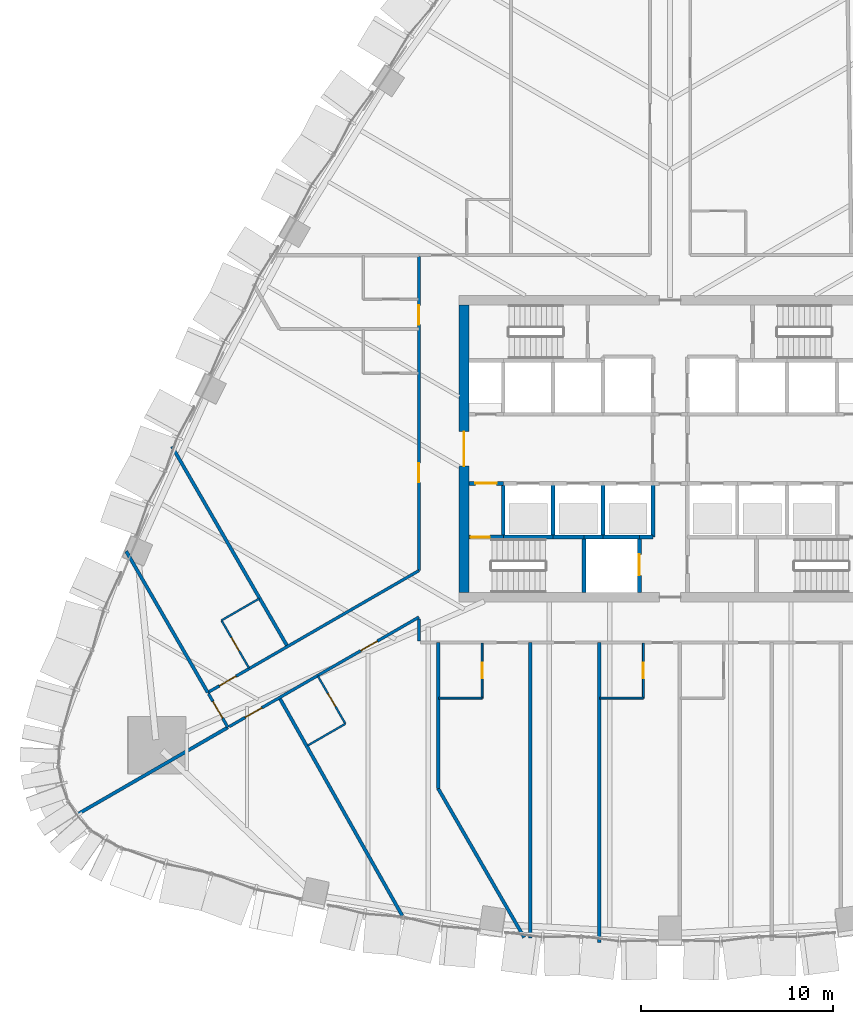
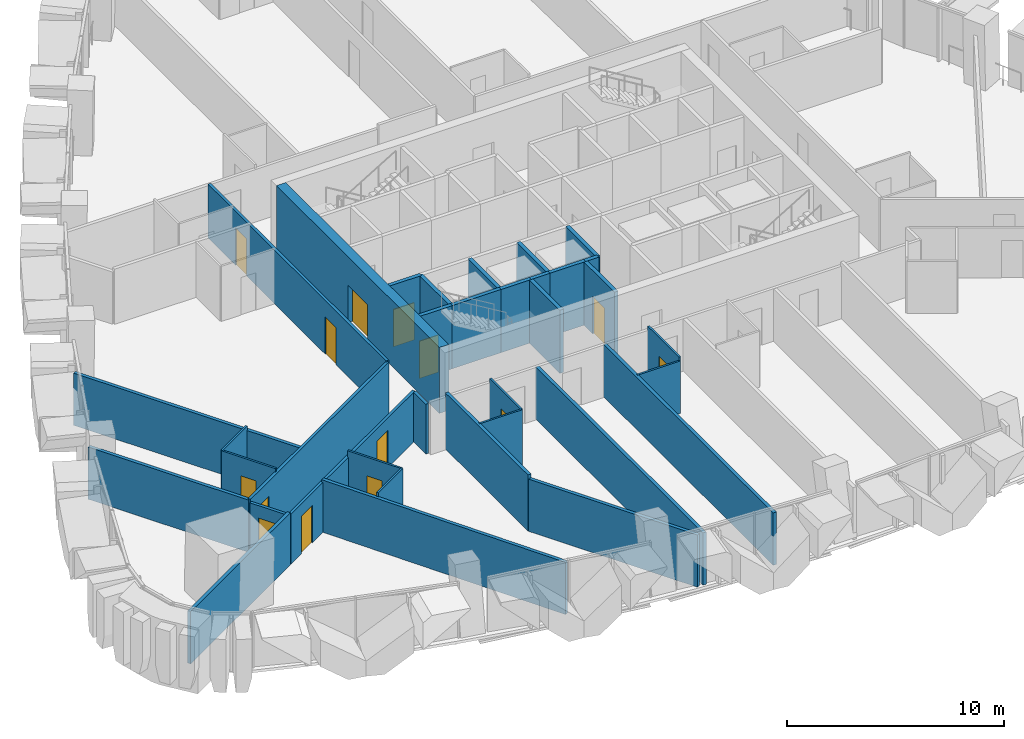
# One storey, part 13 of 22: 35 walls, 14 doors, 14 openings.
"""IFC4 building model written with IfcOpenShell, lengths in metres."""

from ifc_helpers import new_model, si_unit, direction, frame, frame_2d, origin, place, context, subcontext, project, spatial, rectangle, extrude, material, layer, layer_set, type_object, element, fill, save


model = new_model("IFC4")

# Units and contexts
model_context = context("Model", 3, precision=1e-05, world=origin(), true_north=direction((0.0, 1.0)))
body_context = subcontext(model_context, "Body", "Model", "MODEL_VIEW")
ifc_project = project(units=[si_unit("LENGTHUNIT", "METRE"), si_unit("AREAUNIT", "SQUARE_METRE"), si_unit("VOLUMEUNIT", "CUBIC_METRE"), si_unit("PLANEANGLEUNIT", "RADIAN"), si_unit("MASSUNIT", "GRAM", prefix="KILO")], contexts=[model_context])

# Site, building, storey
site_placement = place(None, origin())
site = spatial("IfcSite", under=ifc_project, at=site_placement, CompositionType="ELEMENT")
building_placement = place(site_placement, origin())
building = spatial("IfcBuilding", under=site, at=building_placement, Name="Sierra Prisma Convention Tower", CompositionType="ELEMENT")
storey_placement = place(building_placement, frame((0.0, 0.0, 62.800048828125)))
storey = spatial("IfcBuildingStorey", under=building, at=storey_placement, Name="L11", CompositionType="ELEMENT", Elevation=62.800048828125)

# Wall, opening, door
ifc_material_1 = material(Name="Gypsum board partition", Category="gypsum")
ifc_layer_1 = layer(ifc_material_1, 0.10009765625)
ifc_layer_set_1 = layer_set([ifc_layer_1], Name="Bathroom partition 100")
wall_type_1 = type_object("IfcWallType", Name="Bathroom partition 100", PredefinedType="PARTITIONING", material=ifc_layer_set_1)
wall_1_placement = place(storey_placement, frame((-21.959716796875, -11.431396484375, 0.0), z_axis=(0.0, 0.0, 1.0), x_axis=(-0.499936001555, 0.866062350151, 0.0)))
wall_1 = element("IfcWall", 1, at=wall_1_placement, inside=storey, type_object=wall_type_1, Name="Partition L11 bath 1", PredefinedType="PARTITIONING", context=body_context, shape_type="SweptSolid", body=[
    extrude(rectangle(XDim=2.8701171875, YDim=0.10009765625, at=frame_2d((1.43505859375, 0.0))), origin(), (0.0, 0.0, 1.0), 3.14990234375),
])
opening_1_placement = place(wall_1_placement, frame((1.034912109375, 0.0, 0.0)))
opening_1 = element("IfcOpeningElement", 2, at=opening_1_placement, cuts=wall_1, Name="Opening L11-D007", PredefinedType="OPENING", context=body_context, shape_type="SweptSolid", body=[
    extrude(rectangle(XDim=0.800048828125, YDim=2.10009765625, at=frame_2d((0.39990234375, 1.050048828125))), frame((0.0, 0.050048828125, 0.0), z_axis=(0.0, -1.0, 0.0), x_axis=(1.0, 0.0, 0.0)), (0.0, 0.0, 1.0), 0.10009765625),
])
ifc_material_2 = material(Name="Solid core timber door leaf", Category="wood")
door_type_1 = type_object("IfcDoorType", Name="Door 800x2100 plain", OperationType="SINGLE_SWING_LEFT", PredefinedType="DOOR", material=ifc_material_2)
door_1_placement = place(opening_1_placement, origin())
door_1 = element("IfcDoor", 3, at=door_1_placement, inside=storey, type_object=door_type_1, Name="Door L11 16", OperationType="SINGLE_SWING_LEFT", OverallHeight=2.10009765625, OverallWidth=0.800048828125, PredefinedType="DOOR", context=body_context, shape_type="SweptSolid", body=[
    extrude(rectangle(XDim=0.800048828125, YDim=2.10009765625, at=frame_2d((0.39990234375, 1.050048828125))), frame((0.0, 0.02490234375, 0.0), z_axis=(0.0, -1.0, 0.0), x_axis=(1.0, 0.0, 0.0)), (0.0, 0.0, 1.0), 0.050048828125),
])
fill(opening_1, door_1)

# Wall
wall_2_placement = place(storey_placement, frame((-23.39453125, -8.94580078125, 0.0), z_axis=(0.0, 0.0, 1.0), x_axis=(0.866017224141, 0.500014167291, 0.0)))
element("IfcWall", 4, at=wall_2_placement, inside=storey, type_object=wall_type_1, Name="Partition L11 bath 2", PredefinedType="PARTITIONING", context=body_context, shape_type="SweptSolid", body=[
    extrude(rectangle(XDim=2.27001953125, YDim=0.10009765625, at=frame_2d((1.135009765625, 0.0))), origin(), (0.0, 0.0, 1.0), 3.14990234375),
])

# Wall, opening, door
wall_3_placement = place(storey_placement, frame((-18.367919921875, -11.851806640625, 0.0), z_axis=(0.0, 0.0, 1.0), x_axis=(0.500036638401, -0.866004249561, 0.0)))
wall_3 = element("IfcWall", 5, at=wall_3_placement, inside=storey, type_object=wall_type_1, Name="Partition L11 bath 3", PredefinedType="PARTITIONING", context=body_context, shape_type="SweptSolid", body=[
    extrude(rectangle(XDim=2.869873046875, YDim=0.10009765625, at=frame_2d((1.43505859375, 0.0))), origin(), (0.0, 0.0, 1.0), 3.14990234375),
])
opening_2_placement = place(wall_3_placement, frame((1.034912109375, 0.0, 0.0)))
opening_2 = element("IfcOpeningElement", 6, at=opening_2_placement, cuts=wall_3, Name="Opening L11-D008", PredefinedType="OPENING", context=body_context, shape_type="SweptSolid", body=[
    extrude(rectangle(XDim=0.800048828125, YDim=2.10009765625, at=frame_2d((0.39990234375, 1.050048828125))), frame((0.0, 0.050048828125, 0.0), z_axis=(0.0, -1.0, 0.0), x_axis=(1.0, 0.0, 0.0)), (0.0, 0.0, 1.0), 0.10009765625),
])
door_2_placement = place(opening_2_placement, origin())
door_2 = element("IfcDoor", 7, at=door_2_placement, inside=storey, type_object=door_type_1, Name="Door L11 20", OperationType="SINGLE_SWING_RIGHT", OverallHeight=2.10009765625, OverallWidth=0.800048828125, PredefinedType="DOOR", context=body_context, shape_type="SweptSolid", body=[
    extrude(rectangle(XDim=0.800048828125, YDim=2.10009765625, at=frame_2d((0.39990234375, 1.050048828125))), frame((0.0, 0.02490234375, 0.0), z_axis=(0.0, -1.0, 0.0), x_axis=(1.0, 0.0, 0.0)), (0.0, 0.0, 1.0), 0.050048828125),
])
fill(opening_2, door_2)

# Wall
wall_4_placement = place(storey_placement, frame((-16.932861328125, -14.337158203125, 0.0), z_axis=(0.0, 0.0, 1.0), x_axis=(-0.866017224141, -0.500014167291, 0.0)))
element("IfcWall", 8, at=wall_4_placement, inside=storey, type_object=wall_type_1, Name="Partition L11 bath 4", PredefinedType="PARTITIONING", context=body_context, shape_type="SweptSolid", body=[
    extrude(rectangle(XDim=2.27001953125, YDim=0.10009765625, at=frame_2d((1.135009765625, 0.0))), origin(), (0.0, 0.0, 1.0), 3.14990234375),
])

# Wall, opening, door
wall_5_placement = place(storey_placement, frame((-9.800048828125, -10.1298828125, 0.0), z_axis=(0.0, 0.0, 1.0), x_axis=(0.0, -1.0, 0.0)))
wall_5 = element("IfcWall", 9, at=wall_5_placement, inside=storey, type_object=wall_type_1, Name="Partition L11 bath 9", PredefinedType="PARTITIONING", context=body_context, shape_type="SweptSolid", body=[
    extrude(rectangle(XDim=2.8701171875, YDim=0.10009765625, at=frame_2d((1.43505859375, 0.0))), origin(), (0.0, 0.0, 1.0), 3.14990234375),
])
opening_3_placement = place(wall_5_placement, frame((1.034912109375, 0.0, 0.0)))
opening_3 = element("IfcOpeningElement", 10, at=opening_3_placement, cuts=wall_5, Name="Opening L11-D009", PredefinedType="OPENING", context=body_context, shape_type="SweptSolid", body=[
    extrude(rectangle(XDim=0.800048828125, YDim=2.10009765625, at=frame_2d((0.39990234375, 1.050048828125))), frame((0.0, 0.050048828125, 0.0), z_axis=(0.0, -1.0, 0.0), x_axis=(1.0, 0.0, 0.0)), (0.0, 0.0, 1.0), 0.10009765625),
])
door_3_placement = place(opening_3_placement, origin())
door_3 = element("IfcDoor", 11, at=door_3_placement, inside=storey, type_object=door_type_1, Name="Door L11 22", OperationType="SINGLE_SWING_RIGHT", OverallHeight=2.10009765625, OverallWidth=0.800048828125, PredefinedType="DOOR", context=body_context, shape_type="SweptSolid", body=[
    extrude(rectangle(XDim=0.800048828125, YDim=2.10009765625, at=frame_2d((0.39990234375, 1.050048828125))), frame((0.0, 0.02490234375, 0.0), z_axis=(0.0, -1.0, 0.0), x_axis=(1.0, 0.0, 0.0)), (0.0, 0.0, 1.0), 0.050048828125),
])
fill(opening_3, door_3)

# Wall
wall_6_placement = place(storey_placement, frame((-9.800048828125, -13.0, 0.0), z_axis=(0.0, 0.0, 1.0), x_axis=(-1.0, 0.0, 0.0)))
element("IfcWall", 12, at=wall_6_placement, inside=storey, type_object=wall_type_1, Name="Partition L11 bath 10", PredefinedType="PARTITIONING", context=body_context, shape_type="SweptSolid", body=[
    extrude(rectangle(XDim=2.27001953125, YDim=0.10009765625, at=frame_2d((1.135009765625, 0.0))), origin(), (0.0, 0.0, 1.0), 3.14990234375),
])

# Wall, opening, door
wall_7_placement = place(storey_placement, frame((-1.39990234375, -10.1298828125, 0.0), z_axis=(0.0, 0.0, 1.0), x_axis=(0.0, -1.0, 0.0)))
wall_7 = element("IfcWall", 13, at=wall_7_placement, inside=storey, type_object=wall_type_1, Name="Partition L11 bath 13", PredefinedType="PARTITIONING", context=body_context, shape_type="SweptSolid", body=[
    extrude(rectangle(XDim=2.8701171875, YDim=0.10009765625, at=frame_2d((1.43505859375, 0.0))), origin(), (0.0, 0.0, 1.0), 3.14990234375),
])
opening_4_placement = place(wall_7_placement, frame((1.034912109375, 0.0, 0.0)))
opening_4 = element("IfcOpeningElement", 14, at=opening_4_placement, cuts=wall_7, Name="Opening L11-D010", PredefinedType="OPENING", context=body_context, shape_type="SweptSolid", body=[
    extrude(rectangle(XDim=0.800048828125, YDim=2.10009765625, at=frame_2d((0.39990234375, 1.050048828125))), frame((0.0, 0.050048828125, 0.0), z_axis=(0.0, -1.0, 0.0), x_axis=(1.0, 0.0, 0.0)), (0.0, 0.0, 1.0), 0.10009765625),
])
door_4_placement = place(opening_4_placement, origin())
door_4 = element("IfcDoor", 15, at=door_4_placement, inside=storey, type_object=door_type_1, Name="Door L11 25", OperationType="SINGLE_SWING_RIGHT", OverallHeight=2.10009765625, OverallWidth=0.800048828125, PredefinedType="DOOR", context=body_context, shape_type="SweptSolid", body=[
    extrude(rectangle(XDim=0.800048828125, YDim=2.10009765625, at=frame_2d((0.39990234375, 1.050048828125))), frame((0.0, 0.02490234375, 0.0), z_axis=(0.0, -1.0, 0.0), x_axis=(1.0, 0.0, 0.0)), (0.0, 0.0, 1.0), 0.050048828125),
])
fill(opening_4, door_4)

# Wall
wall_8_placement = place(storey_placement, frame((-1.39990234375, -13.0, 0.0), z_axis=(0.0, 0.0, 1.0), x_axis=(-1.0, 0.0, 0.0)))
element("IfcWall", 16, at=wall_8_placement, inside=storey, type_object=wall_type_1, Name="Partition L11 bath 14", PredefinedType="PARTITIONING", context=body_context, shape_type="SweptSolid", body=[
    extrude(rectangle(XDim=2.27001953125, YDim=0.10009765625, at=frame_2d((1.135009765625, 0.0))), origin(), (0.0, 0.0, 1.0), 2.947021484375),
])

# Wall, opening, door
ifc_material_3 = material(Name="Concrete C30/37", Category="concrete")
ifc_layer_2 = layer(ifc_material_3, 0.199951171875)
ifc_layer_set_2 = layer_set([ifc_layer_2], Name="Core wall RC 200 C30/37")
wall_type_2 = type_object("IfcWallType", Name="Core wall RC 200 C30/37", PredefinedType="SOLIDWALL", material=ifc_layer_set_2)
wall_9_placement = place(storey_placement, frame((-10.5, -4.60009765625, 0.0), z_axis=(0.0, 0.0, 1.0), x_axis=(1.0, 0.0, 0.0)))
wall_9 = element("IfcWall", 17, at=wall_9_placement, inside=storey, type_object=wall_type_2, Name="Core wall L11 1", PredefinedType="SOLIDWALL", context=body_context, shape_type="SweptSolid", body=[
    extrude(rectangle(XDim=1.800048828125, YDim=0.199951171875, at=frame_2d((0.89990234375, 0.0))), origin(), (0.0, 0.0, 1.0), 3.550048828125),
])
opening_5_placement = place(wall_9_placement, frame((0.10009765625, 0.0, 0.0)))
opening_5 = element("IfcOpeningElement", 18, at=opening_5_placement, cuts=wall_9, Name="Opening L11-D034", PredefinedType="OPENING", context=body_context, shape_type="SweptSolid", body=[
    extrude(rectangle(XDim=1.0, YDim=2.10009765625, at=frame_2d((0.5, 1.050048828125))), frame((0.0, 0.10009765625, 0.0), z_axis=(0.0, -1.0, 0.0), x_axis=(1.0, 0.0, 0.0)), (0.0, 0.0, 1.0), 0.199951171875),
])
ifc_material_4 = material(Name="Steel fire door leaf", Category="steel")
door_type_2 = type_object("IfcDoorType", Name="Door 1000x2100 FD90S", OperationType="SINGLE_SWING_LEFT", PredefinedType="DOOR", material=ifc_material_4)
door_5_placement = place(opening_5_placement, origin())
door_5 = element("IfcDoor", 19, at=door_5_placement, inside=storey, type_object=door_type_2, Name="Door L11 56", OperationType="SINGLE_SWING_LEFT", OverallHeight=2.10009765625, OverallWidth=1.0, PredefinedType="DOOR", context=body_context, shape_type="SweptSolid", body=[
    extrude(rectangle(XDim=1.0, YDim=2.10009765625, at=frame_2d((0.5, 1.050048828125))), frame((0.0, 0.02490234375, 0.0), z_axis=(0.0, -1.0, 0.0), x_axis=(1.0, 0.0, 0.0)), (0.0, 0.0, 1.0), 0.050048828125),
])
fill(opening_5, door_5)

wall_10_placement = place(storey_placement, frame((-10.5, -1.800048828125, 0.0), z_axis=(0.0, 0.0, 1.0), x_axis=(1.0, 0.0, 0.0)))
wall_10 = element("IfcWall", 20, at=wall_10_placement, inside=storey, type_object=wall_type_2, Name="Core wall L11 2", PredefinedType="SOLIDWALL", context=body_context, shape_type="SweptSolid", body=[
    extrude(rectangle(XDim=1.800048828125, YDim=0.199951171875, at=frame_2d((0.89990234375, 0.0))), origin(), (0.0, 0.0, 1.0), 3.550048828125),
])
opening_6_placement = place(wall_10_placement, frame((0.35009765625, 0.0, 0.0)))
opening_6 = element("IfcOpeningElement", 21, at=opening_6_placement, cuts=wall_10, Name="Opening L11-D028", PredefinedType="OPENING", context=body_context, shape_type="SweptSolid", body=[
    extrude(rectangle(XDim=1.10009765625, YDim=2.10009765625, at=frame_2d((0.550048828125, 1.050048828125))), frame((0.0, 0.10009765625, 0.0), z_axis=(0.0, -1.0, 0.0), x_axis=(1.0, 0.0, 0.0)), (0.0, 0.0, 1.0), 0.199951171875),
])
ifc_material_5 = material(Name="Steel fire door leaf", Category="steel")
door_type_3 = type_object("IfcDoorType", Name="Door 1100x2100 FD90S", OperationType="SINGLE_SWING_LEFT", PredefinedType="DOOR", material=ifc_material_5)
door_6_placement = place(opening_6_placement, origin())
door_6 = element("IfcDoor", 22, at=door_6_placement, inside=storey, type_object=door_type_3, Name="Door L11 50", OperationType="SINGLE_SWING_LEFT", OverallHeight=2.10009765625, OverallWidth=1.10009765625, PredefinedType="DOOR", context=body_context, shape_type="SweptSolid", body=[
    extrude(rectangle(XDim=1.10009765625, YDim=2.10009765625, at=frame_2d((0.550048828125, 1.050048828125))), frame((0.0, 0.02490234375, 0.0), z_axis=(0.0, -1.0, 0.0), x_axis=(1.0, 0.0, 0.0)), (0.0, 0.0, 1.0), 0.050048828125),
])
fill(opening_6, door_6)

# Walls
wall_11_placement = place(storey_placement, frame((-8.699951171875, -4.60009765625, 0.0), z_axis=(0.0, 0.0, 1.0), x_axis=(1.0, 0.0, 0.0)))
element("IfcWall", 23, at=wall_11_placement, inside=storey, type_object=wall_type_2, Name="Core wall L11 5", PredefinedType="SOLIDWALL", context=body_context, shape_type="SweptSolid", body=[
    extrude(rectangle(XDim=2.599853515625, YDim=0.199951171875, at=frame_2d((1.2998046875, 0.0))), origin(), (0.0, 0.0, 1.0), 3.550048828125),
])
wall_12_placement = place(storey_placement, frame((-8.699951171875, -4.60009765625, 0.0), z_axis=(0.0, 0.0, 1.0), x_axis=(0.0, 1.0, 0.0)))
element("IfcWall", 24, at=wall_12_placement, inside=storey, type_object=wall_type_2, Name="Core wall L11 6", PredefinedType="SOLIDWALL", context=body_context, shape_type="SweptSolid", body=[
    extrude(rectangle(XDim=2.800048828125, YDim=0.199951171875, at=frame_2d((1.39990234375, 0.0))), origin(), (0.0, 0.0, 1.0), 3.550048828125),
])
wall_13_placement = place(storey_placement, frame((-6.10009765625, -4.60009765625, 0.0), z_axis=(0.0, 0.0, 1.0), x_axis=(1.0, 0.0, 0.0)))
element("IfcWall", 25, at=wall_13_placement, inside=storey, type_object=wall_type_2, Name="Core wall L11 11", PredefinedType="SOLIDWALL", context=body_context, shape_type="SweptSolid", body=[
    extrude(rectangle(XDim=1.60009765625, YDim=0.199951171875, at=frame_2d((0.800048828125, 0.0))), origin(), (0.0, 0.0, 1.0), 3.550048828125),
])
wall_14_placement = place(storey_placement, frame((-6.10009765625, -4.60009765625, 0.0), z_axis=(0.0, 0.0, 1.0), x_axis=(0.0, 1.0, 0.0)))
element("IfcWall", 26, at=wall_14_placement, inside=storey, type_object=wall_type_2, Name="Core wall L11 12", PredefinedType="SOLIDWALL", context=body_context, shape_type="SweptSolid", body=[
    extrude(rectangle(XDim=2.800048828125, YDim=0.199951171875, at=frame_2d((1.39990234375, 0.0))), origin(), (0.0, 0.0, 1.0), 3.550048828125),
])
wall_15_placement = place(storey_placement, frame((-4.5, -4.60009765625, 0.0), z_axis=(0.0, 0.0, 1.0), x_axis=(0.0, -1.0, 0.0)))
element("IfcWall", 27, at=wall_15_placement, inside=storey, type_object=wall_type_2, Name="Core wall L11 17", PredefinedType="SOLIDWALL", context=body_context, shape_type="SweptSolid", body=[
    extrude(rectangle(XDim=2.89990234375, YDim=0.199951171875, at=frame_2d((1.449951171875, 0.0))), origin(), (0.0, 0.0, 1.0), 3.550048828125),
])
wall_16_placement = place(storey_placement, frame((-4.5, -4.60009765625, 0.0), z_axis=(0.0, 0.0, 1.0), x_axis=(1.0, 0.0, 0.0)))
element("IfcWall", 28, at=wall_16_placement, inside=storey, type_object=wall_type_2, Name="Core wall L11 18", PredefinedType="SOLIDWALL", context=body_context, shape_type="SweptSolid", body=[
    extrude(rectangle(XDim=1.0, YDim=0.199951171875, at=frame_2d((0.5, 0.0))), origin(), (0.0, 0.0, 1.0), 3.550048828125),
])
wall_17_placement = place(storey_placement, frame((-3.5, -4.60009765625, 0.0), z_axis=(0.0, 0.0, 1.0), x_axis=(1.0, 0.0, 0.0)))
element("IfcWall", 29, at=wall_17_placement, inside=storey, type_object=wall_type_2, Name="Core wall L11 21", PredefinedType="SOLIDWALL", context=body_context, shape_type="SweptSolid", body=[
    extrude(rectangle(XDim=1.89990234375, YDim=0.199951171875, at=frame_2d((0.949951171875, 0.0))), origin(), (0.0, 0.0, 1.0), 3.550048828125),
])
wall_18_placement = place(storey_placement, frame((-3.5, -4.60009765625, 0.0), z_axis=(0.0, 0.0, 1.0), x_axis=(0.0, 1.0, 0.0)))
element("IfcWall", 30, at=wall_18_placement, inside=storey, type_object=wall_type_2, Name="Core wall L11 22", PredefinedType="SOLIDWALL", context=body_context, shape_type="SweptSolid", body=[
    extrude(rectangle(XDim=2.800048828125, YDim=0.199951171875, at=frame_2d((1.39990234375, 0.0))), origin(), (0.0, 0.0, 1.0), 3.550048828125),
])

# Wall, opening, door
wall_19_placement = place(storey_placement, frame((-1.60009765625, -7.5, 0.0), z_axis=(0.0, 0.0, 1.0), x_axis=(0.0, 1.0, 0.0)))
wall_19 = element("IfcWall", 31, at=wall_19_placement, inside=storey, type_object=wall_type_2, Name="Core wall L11 29", PredefinedType="SOLIDWALL", context=body_context, shape_type="SweptSolid", body=[
    extrude(rectangle(XDim=2.89990234375, YDim=0.199951171875, at=frame_2d((1.449951171875, 0.0))), origin(), (0.0, 0.0, 1.0), 3.550048828125),
])
opening_7_placement = place(wall_19_placement, frame((0.89990234375, 0.0, 0.0)))
opening_7 = element("IfcOpeningElement", 32, at=opening_7_placement, cuts=wall_19, Name="Opening L11-D025", PredefinedType="OPENING", context=body_context, shape_type="SweptSolid", body=[
    extrude(rectangle(XDim=1.10009765625, YDim=2.10009765625, at=frame_2d((0.550048828125, 1.050048828125))), frame((0.0, 0.10009765625, 0.0), z_axis=(0.0, -1.0, 0.0), x_axis=(1.0, 0.0, 0.0)), (0.0, 0.0, 1.0), 0.199951171875),
])
ifc_material_6 = material(Name="Steel fire door leaf", Category="steel")
door_type_4 = type_object("IfcDoorType", Name="Door 1100x2100 EI 90 sliding lift landing", OperationType="SLIDING_TO_LEFT", PredefinedType="DOOR", material=ifc_material_6)
door_7_placement = place(opening_7_placement, origin())
door_7 = element("IfcDoor", 33, at=door_7_placement, inside=storey, type_object=door_type_4, Name="Door L11 47", OperationType="SLIDING_TO_RIGHT", OverallHeight=2.10009765625, OverallWidth=1.10009765625, PredefinedType="DOOR", context=body_context, shape_type="SweptSolid", body=[
    extrude(rectangle(XDim=1.10009765625, YDim=2.10009765625, at=frame_2d((0.550048828125, 1.050048828125))), frame((0.0, 0.02490234375, 0.0), z_axis=(0.0, -1.0, 0.0), x_axis=(1.0, 0.0, 0.0)), (0.0, 0.0, 1.0), 0.050048828125),
])
fill(opening_7, door_7)

# Walls
wall_20_placement = place(storey_placement, frame((-1.60009765625, -4.60009765625, 0.0), z_axis=(0.0, 0.0, 1.0), x_axis=(1.0, 0.0, 0.0)))
element("IfcWall", 34, at=wall_20_placement, inside=storey, type_object=wall_type_2, Name="Core wall L11 30", PredefinedType="SOLIDWALL", context=body_context, shape_type="SweptSolid", body=[
    extrude(rectangle(XDim=0.7001953125, YDim=0.199951171875, at=frame_2d((0.35009765625, 0.0))), origin(), (0.0, 0.0, 1.0), 3.550048828125),
])
wall_21_placement = place(storey_placement, frame((-0.89990234375, -4.60009765625, 0.0), z_axis=(0.0, 0.0, 1.0), x_axis=(0.0, 1.0, 0.0)))
element("IfcWall", 35, at=wall_21_placement, inside=storey, type_object=wall_type_2, Name="Core wall L11 31", PredefinedType="SOLIDWALL", context=body_context, shape_type="SweptSolid", body=[
    extrude(rectangle(XDim=2.800048828125, YDim=0.199951171875, at=frame_2d((1.39990234375, 0.0))), origin(), (0.0, 0.0, 1.0), 3.550048828125),
])

# Wall, opening, door
ifc_material_7 = material(Name="Concrete C60/75", Category="concrete")
ifc_layer_3 = layer(ifc_material_7, 0.5)
ifc_layer_set_3 = layer_set([ifc_layer_3], Name="Core wall RC 500 C60/75")
wall_type_3 = type_object("IfcWallType", Name="Core wall RC 500 C60/75", PredefinedType="SHEAR", material=ifc_layer_set_3)
wall_22_placement = place(storey_placement, frame((-10.75, -7.5, 0.0), z_axis=(0.0, 0.0, 1.0), x_axis=(0.0, 1.0, 0.0)))
wall_22 = element("IfcWall", 36, at=wall_22_placement, inside=storey, type_object=wall_type_3, Name="Core wall W L11", PredefinedType="SHEAR", context=body_context, shape_type="SweptSolid", body=[
    extrude(rectangle(XDim=15.0, YDim=0.5, at=frame_2d((7.5, 0.0))), origin(), (0.0, 0.0, 1.0), 3.699951171875),
])
opening_8_placement = place(wall_22_placement, frame((6.60009765625, 0.0, 0.0)))
opening_8 = element("IfcOpeningElement", 37, at=opening_8_placement, cuts=wall_22, Name="Opening L11-D064", PredefinedType="OPENING", context=body_context, shape_type="SweptSolid", body=[
    extrude(rectangle(XDim=1.800048828125, YDim=2.10009765625, at=frame_2d((0.89990234375, 1.050048828125))), frame((0.0, 0.25, 0.0), z_axis=(0.0, -1.0, 0.0), x_axis=(1.0, 0.0, 0.0)), (0.0, 0.0, 1.0), 0.5),
])
ifc_material_8 = material(Name="Steel fire door leaf", Category="steel")
door_type_5 = type_object("IfcDoorType", Name="Door 1800x2100 FD60S", OperationType="DOUBLE_DOOR_SINGLE_SWING", PredefinedType="DOOR", material=ifc_material_8)
door_8_placement = place(opening_8_placement, origin())
door_8 = element("IfcDoor", 38, at=door_8_placement, inside=storey, type_object=door_type_5, Name="Door L11 61", OperationType="DOUBLE_DOOR_SINGLE_SWING", OverallHeight=2.10009765625, OverallWidth=1.800048828125, PredefinedType="DOOR", context=body_context, shape_type="SweptSolid", body=[
    extrude(rectangle(XDim=1.800048828125, YDim=2.10009765625, at=frame_2d((0.89990234375, 1.050048828125))), frame((0.0, 0.02490234375, 0.0), z_axis=(0.0, -1.0, 0.0), x_axis=(1.0, 0.0, 0.0)), (0.0, 0.0, 1.0), 0.050048828125),
])
fill(opening_8, door_8)

ifc_material_9 = material(Name="Gypsum board partition", Category="gypsum")
ifc_layer_4 = layer(ifc_material_9, 0.14990234375)
ifc_layer_set_4 = layer_set([ifc_layer_4], Name="Corridor wall 150 gypsum EI 60")
wall_type_4 = type_object("IfcWallType", Name="Corridor wall 150 gypsum EI 60", PredefinedType="PARTITIONING", material=ifc_layer_set_4)
wall_23_placement = place(storey_placement, frame((-13.10009765625, -6.350830078125, 0.0), z_axis=(0.0, 0.0, 1.0), x_axis=(-0.866022163861, -0.50000561167, 0.0)))
wall_23 = element("IfcWall", 39, at=wall_23_placement, inside=storey, type_object=wall_type_4, Name="Partition L11 corr 1", PredefinedType="PARTITIONING", context=body_context, shape_type="SweptSolid", body=[
    extrude(rectangle(XDim=12.712646484375, YDim=0.14990234375, at=frame_2d((6.3564453125, 0.0))), origin(), (0.0, 0.0, 1.0), 2.947021484375),
])
opening_9_placement = place(wall_23_placement, frame((11.0126953125, 0.0, 0.0)))
opening_9 = element("IfcOpeningElement", 40, at=opening_9_placement, cuts=wall_23, Name="Opening L11-D047", PredefinedType="OPENING", context=body_context, shape_type="SweptSolid", body=[
    extrude(rectangle(XDim=1.0, YDim=2.10009765625, at=frame_2d((0.5, 1.050048828125))), frame((0.0, 0.074951171875, 0.0), z_axis=(0.0, -1.0, 0.0), x_axis=(1.0, 0.0, 0.0)), (0.0, 0.0, 1.0), 0.14990234375),
])
ifc_material_10 = material(Name="Steel fire door leaf", Category="steel")
door_type_6 = type_object("IfcDoorType", Name="Door 1000x2100 FD30S", OperationType="SINGLE_SWING_LEFT", PredefinedType="DOOR", material=ifc_material_10)
door_9_placement = place(opening_9_placement, origin())
door_9 = element("IfcDoor", 41, at=door_9_placement, inside=storey, type_object=door_type_6, Name="Door L11 15", OperationType="SINGLE_SWING_LEFT", OverallHeight=2.10009765625, OverallWidth=1.0, PredefinedType="DOOR", context=body_context, shape_type="SweptSolid", body=[
    extrude(rectangle(XDim=1.0, YDim=2.10009765625, at=frame_2d((0.5, 1.050048828125))), frame((0.0, 0.02490234375, 0.0), z_axis=(0.0, -1.0, 0.0), x_axis=(1.0, 0.0, 0.0)), (0.0, 0.0, 1.0), 0.050048828125),
])
fill(opening_9, door_9)

wall_24_placement = place(storey_placement, frame((-24.069580078125, -12.776611328125, 0.0), z_axis=(0.0, 0.0, 1.0), x_axis=(0.499935208997, -0.866062807656, 0.0)))
wall_24 = element("IfcWall", 42, at=wall_24_placement, inside=storey, type_object=wall_type_4, Name="Partition L11 corr 2", PredefinedType="PARTITIONING", context=body_context, shape_type="SweptSolid", body=[
    extrude(rectangle(XDim=2.019775390625, YDim=0.14990234375, at=frame_2d((1.009765625, 0.0))), origin(), (0.0, 0.0, 1.0), 2.796875),
])
opening_10_placement = place(wall_24_placement, frame((0.4599609375, 0.0, 0.0)))
opening_10 = element("IfcOpeningElement", 43, at=opening_10_placement, cuts=wall_24, Name="Opening L11-D048", PredefinedType="OPENING", context=body_context, shape_type="SweptSolid", body=[
    extrude(rectangle(XDim=1.0, YDim=2.10009765625, at=frame_2d((0.5, 1.050048828125))), frame((0.0, 0.074951171875, 0.0), z_axis=(0.0, -1.0, 0.0), x_axis=(1.0, 0.0, 0.0)), (0.0, 0.0, 1.0), 0.14990234375),
])
door_10_placement = place(opening_10_placement, origin())
door_10 = element("IfcDoor", 44, at=door_10_placement, inside=storey, type_object=door_type_6, Name="Door L11 17", OperationType="SINGLE_SWING_LEFT", OverallHeight=2.10009765625, OverallWidth=1.0, PredefinedType="DOOR", context=body_context, shape_type="SweptSolid", body=[
    extrude(rectangle(XDim=1.0, YDim=2.10009765625, at=frame_2d((0.5, 1.050048828125))), frame((0.0, 0.02490234375, 0.0), z_axis=(0.0, -1.0, 0.0), x_axis=(1.0, 0.0, 0.0)), (0.0, 0.0, 1.0), 0.050048828125),
])
fill(opening_10, door_10)

# Wall, openings, doors
wall_25_placement = place(storey_placement, frame((-22.990478515625, -14.48583984375, 0.0), z_axis=(0.0, 0.0, 1.0), x_axis=(0.866025744017, 0.499999410699, 0.0)))
wall_25 = element("IfcWall", 45, at=wall_25_placement, inside=storey, type_object=wall_type_4, Name="Partition L11 corr 3", PredefinedType="PARTITIONING", context=body_context, shape_type="SweptSolid", body=[
    extrude(rectangle(XDim=11.42041015625, YDim=0.14990234375, at=frame_2d((5.710205078125, 0.0))), origin(), (0.0, 0.0, 1.0), 2.796875),
])
opening_11_placement = place(wall_25_placement, frame((0.960205078125, 0.0, 0.0)))
opening_11 = element("IfcOpeningElement", 46, at=opening_11_placement, cuts=wall_25, Name="Opening L11-D049", PredefinedType="OPENING", context=body_context, shape_type="SweptSolid", body=[
    extrude(rectangle(XDim=1.0, YDim=2.10009765625, at=frame_2d((0.5, 1.050048828125))), frame((0.0, 0.074951171875, 0.0), z_axis=(0.0, -1.0, 0.0), x_axis=(1.0, 0.0, 0.0)), (0.0, 0.0, 1.0), 0.14990234375),
])
opening_12_placement = place(wall_25_placement, frame((7.92041015625, 0.0, 0.0)))
opening_12 = element("IfcOpeningElement", 47, at=opening_12_placement, cuts=wall_25, Name="Opening L11-D050", PredefinedType="OPENING", context=body_context, shape_type="SweptSolid", body=[
    extrude(rectangle(XDim=1.0, YDim=2.10009765625, at=frame_2d((0.5, 1.050048828125))), frame((0.0, 0.074951171875, 0.0), z_axis=(0.0, -1.0, 0.0), x_axis=(1.0, 0.0, 0.0)), (0.0, 0.0, 1.0), 0.14990234375),
])
door_11_placement = place(opening_11_placement, origin())
door_11 = element("IfcDoor", 48, at=door_11_placement, inside=storey, type_object=door_type_6, Name="Door L11 18", OperationType="SINGLE_SWING_LEFT", OverallHeight=2.10009765625, OverallWidth=1.0, PredefinedType="DOOR", context=body_context, shape_type="SweptSolid", body=[
    extrude(rectangle(XDim=1.0, YDim=2.10009765625, at=frame_2d((0.5, 1.050048828125))), frame((0.0, 0.02490234375, 0.0), z_axis=(0.0, -1.0, 0.0), x_axis=(1.0, 0.0, 0.0)), (0.0, 0.0, 1.0), 0.050048828125),
])
fill(opening_11, door_11)
door_12_placement = place(opening_12_placement, origin())
door_12 = element("IfcDoor", 49, at=door_12_placement, inside=storey, type_object=door_type_6, Name="Door L11 19", OperationType="SINGLE_SWING_LEFT", OverallHeight=2.10009765625, OverallWidth=1.0, PredefinedType="DOOR", context=body_context, shape_type="SweptSolid", body=[
    extrude(rectangle(XDim=1.0, YDim=2.10009765625, at=frame_2d((0.5, 1.050048828125))), frame((0.0, 0.02490234375, 0.0), z_axis=(0.0, -1.0, 0.0), x_axis=(1.0, 0.0, 0.0)), (0.0, 0.0, 1.0), 0.050048828125),
])
fill(opening_12, door_12)

# Wall
wall_26_placement = place(storey_placement, frame((-13.10009765625, -8.8671875, 0.0), z_axis=(0.0, 0.0, 1.0), x_axis=(0.0, -1.0, 0.0)))
element("IfcWall", 50, at=wall_26_placement, inside=storey, type_object=wall_type_4, Name="Partition L11 corr 4", PredefinedType="PARTITIONING", context=body_context, shape_type="SweptSolid", body=[
    extrude(rectangle(XDim=1.15283203125, YDim=0.14990234375, at=frame_2d((0.576416015625, 0.0))), origin(), (0.0, 0.0, 1.0), 2.796875),
])

# Wall, openings, doors
wall_27_placement = place(storey_placement, frame((-13.10009765625, 10.02001953125, 0.0), z_axis=(0.0, 0.0, 1.0), x_axis=(0.0, -1.0, 0.0)))
wall_27 = element("IfcWall", 51, at=wall_27_placement, inside=storey, type_object=wall_type_4, Name="Partition L11 corr 5", PredefinedType="PARTITIONING", context=body_context, shape_type="SweptSolid", body=[
    extrude(rectangle(XDim=16.370849609375, YDim=0.14990234375, at=frame_2d((8.185546875, 0.0))), origin(), (0.0, 0.0, 1.0), 3.016845703125),
])
opening_13_placement = place(wall_27_placement, frame((2.54541015625, 0.0, 0.0)))
opening_13 = element("IfcOpeningElement", 52, at=opening_13_placement, cuts=wall_27, Name="Opening L11-D045", PredefinedType="OPENING", context=body_context, shape_type="SweptSolid", body=[
    extrude(rectangle(XDim=1.0, YDim=2.10009765625, at=frame_2d((0.5, 1.050048828125))), frame((0.0, 0.074951171875, 0.0), z_axis=(0.0, -1.0, 0.0), x_axis=(1.0, 0.0, 0.0)), (0.0, 0.0, 1.0), 0.14990234375),
])
opening_14_placement = place(wall_27_placement, frame((10.77099609375, 0.0, 0.0)))
opening_14 = element("IfcOpeningElement", 53, at=opening_14_placement, cuts=wall_27, Name="Opening L11-D046", PredefinedType="OPENING", context=body_context, shape_type="SweptSolid", body=[
    extrude(rectangle(XDim=1.0, YDim=2.10009765625, at=frame_2d((0.5, 1.050048828125))), frame((0.0, 0.074951171875, 0.0), z_axis=(0.0, -1.0, 0.0), x_axis=(1.0, 0.0, 0.0)), (0.0, 0.0, 1.0), 0.14990234375),
])
door_13_placement = place(opening_13_placement, origin())
door_13 = element("IfcDoor", 54, at=door_13_placement, inside=storey, type_object=door_type_6, Name="Door L11 11", OperationType="SINGLE_SWING_LEFT", OverallHeight=2.10009765625, OverallWidth=1.0, PredefinedType="DOOR", context=body_context, shape_type="SweptSolid", body=[
    extrude(rectangle(XDim=1.0, YDim=2.10009765625, at=frame_2d((0.5, 1.050048828125))), frame((0.0, 0.02490234375, 0.0), z_axis=(0.0, -1.0, 0.0), x_axis=(1.0, 0.0, 0.0)), (0.0, 0.0, 1.0), 0.050048828125),
])
fill(opening_13, door_13)
door_14_placement = place(opening_14_placement, origin())
door_14 = element("IfcDoor", 55, at=door_14_placement, inside=storey, type_object=door_type_6, Name="Door L11 13", OperationType="SINGLE_SWING_LEFT", OverallHeight=2.10009765625, OverallWidth=1.0, PredefinedType="DOOR", context=body_context, shape_type="SweptSolid", body=[
    extrude(rectangle(XDim=1.0, YDim=2.10009765625, at=frame_2d((0.5, 1.050048828125))), frame((0.0, 0.02490234375, 0.0), z_axis=(0.0, -1.0, 0.0), x_axis=(1.0, 0.0, 0.0)), (0.0, 0.0, 1.0), 0.050048828125),
])
fill(opening_14, door_14)

# Walls
ifc_material_11 = material(Name="Acoustic gypsum board partition", Category="gypsum")
ifc_layer_5 = layer(ifc_material_11, 0.175048828125)
ifc_layer_set_5 = layer_set([ifc_layer_5], Name="Guest room party wall 175 acoustic EI 60")
wall_type_5 = type_object("IfcWallType", Name="Guest room party wall 175 acoustic EI 60", PredefinedType="PARTITIONING", material=ifc_layer_set_5)
wall_28_placement = place(storey_placement, frame((-23.059814453125, -14.52587890625, 0.0), z_axis=(0.0, 0.0, 1.0), x_axis=(-0.866023364538, -0.500003532061, 0.0)))
element("IfcWall", 56, at=wall_28_placement, inside=storey, type_object=wall_type_5, Name="Partition L11 hparty 1", PredefinedType="PARTITIONING", context=body_context, shape_type="SweptSolid", body=[
    extrude(rectangle(XDim=9.1728515625, YDim=0.175048828125, at=frame_2d((4.58642578125, 0.0))), origin(), (0.0, 0.0, 1.0), 2.933837890625),
])
wall_29_placement = place(storey_placement, frame((-24.109619140625, -12.707275390625, 0.0), z_axis=(0.0, 0.0, 1.0), x_axis=(-0.500004040168, 0.86602307118, 0.0)))
element("IfcWall", 57, at=wall_29_placement, inside=storey, type_object=wall_type_5, Name="Partition L11 hparty 2", PredefinedType="PARTITIONING", context=body_context, shape_type="SweptSolid", body=[
    extrude(rectangle(XDim=8.505859375, YDim=0.175048828125, at=frame_2d((4.2529296875, 0.0))), origin(), (0.0, 0.0, 1.0), 2.933837890625),
])
wall_30_placement = place(storey_placement, frame((-19.95263671875, -10.307373046875, 0.0), z_axis=(0.0, 0.0, 1.0), x_axis=(-0.500011246013, 0.866018910798, 0.0)))
element("IfcWall", 58, at=wall_30_placement, inside=storey, type_object=wall_type_5, Name="Partition L11 hparty 3", PredefinedType="PARTITIONING", context=body_context, shape_type="SweptSolid", body=[
    extrude(rectangle(XDim=12.050048828125, YDim=0.175048828125, at=frame_2d((6.02490234375, 0.0))), origin(), (0.0, 0.0, 1.0), 2.933837890625),
])
wall_31_placement = place(storey_placement, frame((-13.966552734375, -24.346435546875, 0.0), z_axis=(0.0, 0.0, 1.0), x_axis=(-0.490951118702, 0.871187120569, 0.0)))
element("IfcWall", 59, at=wall_31_placement, inside=storey, type_object=wall_type_5, Name="Partition L11 hparty 7", PredefinedType="PARTITIONING", context=body_context, shape_type="SweptSolid", body=[
    extrude(rectangle(XDim=13.05224609375, YDim=0.175048828125, at=frame_2d((6.526123046875, 0.0))), origin(), (0.0, 0.0, 1.0), 2.933837890625),
])
wall_32_placement = place(storey_placement, frame((-12.10009765625, -10.10009765625, 0.0), z_axis=(0.0, 0.0, 1.0), x_axis=(0.0, -1.0, 0.0)))
element("IfcWall", 60, at=wall_32_placement, inside=storey, type_object=wall_type_5, Name="Partition L11 hparty 8", PredefinedType="PARTITIONING", context=body_context, shape_type="SweptSolid", body=[
    extrude(rectangle(XDim=7.607666015625, YDim=0.175048828125, at=frame_2d((3.8037109375, 0.0))), origin(), (0.0, 0.0, 1.0), 3.14990234375),
])
wall_33_placement = place(storey_placement, frame((-12.10009765625, -17.707763671875, 0.0), z_axis=(0.0, 0.0, 1.0), x_axis=(0.500016042471, -0.866016141462, 0.0)))
element("IfcWall", 61, at=wall_33_placement, inside=storey, type_object=wall_type_5, Name="Partition L11 hparty 9", PredefinedType="PARTITIONING", context=body_context, shape_type="SweptSolid", body=[
    extrude(rectangle(XDim=8.973876953125, YDim=0.175048828125, at=frame_2d((4.48681640625, 0.0))), origin(), (0.0, 0.0, 1.0), 2.933837890625),
])
wall_34_placement = place(storey_placement, frame((-7.300048828125, -10.10009765625, 0.0), z_axis=(0.0, 0.0, 1.0), x_axis=(0.0, -1.0, 0.0)))
element("IfcWall", 62, at=wall_34_placement, inside=storey, type_object=wall_type_5, Name="Partition L11 hparty 11", PredefinedType="PARTITIONING", context=body_context, shape_type="SweptSolid", body=[
    extrude(rectangle(XDim=15.40380859375, YDim=0.175048828125, at=frame_2d((7.701904296875, 0.0))), origin(), (0.0, 0.0, 1.0), 2.933837890625),
])
wall_35_placement = place(storey_placement, frame((-3.699951171875, -25.734619140625, 0.0), z_axis=(0.0, 0.0, 1.0), x_axis=(0.0, 1.0, 0.0)))
element("IfcWall", 63, at=wall_35_placement, inside=storey, type_object=wall_type_5, Name="Partition L11 hparty 12", PredefinedType="PARTITIONING", context=body_context, shape_type="SweptSolid", body=[
    extrude(rectangle(XDim=15.634521484375, YDim=0.175048828125, at=frame_2d((7.8173828125, 0.0))), origin(), (0.0, 0.0, 1.0), 2.933837890625),
])

save(model, "model.ifc")
